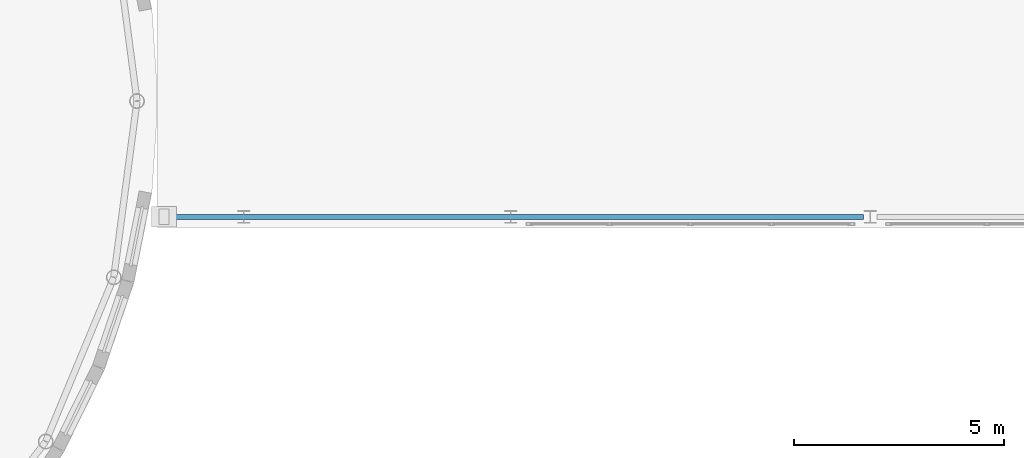
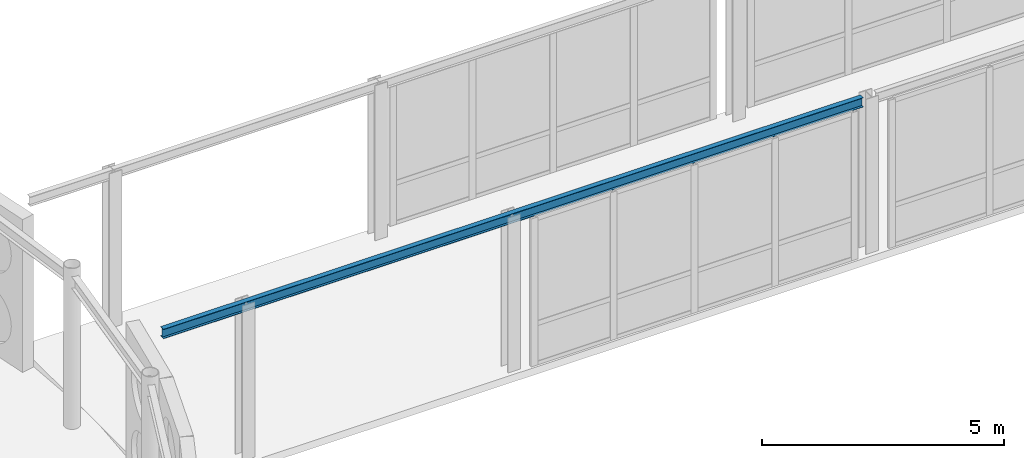
# One storey, part 54 of 165: 1 beam.
"""IFC4 building model written with IfcOpenShell, lengths in metres."""

from ifc_helpers import new_model, si_unit, direction, frame, origin, origin_2d, place, context, subcontext, project, spatial, i_section, extrude, material, material_profile, profile_set, type_object, element, save


model = new_model("IFC4")

# Units and contexts
model_context = context("Model", 3, precision=1e-05, world=origin(), true_north=direction((0.0, 1.0)))
body_context = subcontext(model_context, "Body", "Model", "MODEL_VIEW")
ifc_project = project(units=[si_unit("LENGTHUNIT", "METRE"), si_unit("AREAUNIT", "SQUARE_METRE"), si_unit("VOLUMEUNIT", "CUBIC_METRE"), si_unit("PLANEANGLEUNIT", "RADIAN"), si_unit("MASSUNIT", "GRAM", prefix="KILO")], contexts=[model_context])

# Site, building, storey
site_placement = place(None, origin())
site = spatial("IfcSite", under=ifc_project, at=site_placement, CompositionType="ELEMENT")
building_placement = place(site_placement, origin())
building = spatial("IfcBuilding", under=site, at=building_placement, Name="Montecoro Central Library", CompositionType="ELEMENT")
storey_placement = place(building_placement, frame((0.0, 0.0, 5.10009765625)))
storey = spatial("IfcBuildingStorey", under=building, at=storey_placement, Name="L01", CompositionType="ELEMENT", Elevation=5.10009765625)

# Beam
ifc_material = material(Name="Steel S355", Category="steel")
ifc_material_profile = material_profile(ifc_material, i_section(OverallWidth=0.1201171875, OverallDepth=0.239990234375, WebThickness=0.006103515625, FlangeThickness=0.009765625, at=origin_2d()), Name="IPE 240")
ifc_profile_set = profile_set([ifc_material_profile], Name="Steel S355")
beam_type = type_object("IfcBeamType", Name="BM-SP-IPE240", PredefinedType="SPANDREL", material=ifc_profile_set)
beam_placement = place(storey_placement, frame((108.340087890625, 32.64990234375, 3.787841796875), z_axis=(1.0, 0.0, 0.0), x_axis=(0.0, 1.0, 0.0)))
element("IfcBeam", 1, at=beam_placement, inside=storey, type_object=beam_type, Name="BR-SE-ROOF-BM-S1", PredefinedType="SPANDREL", context=body_context, shape_type="SweptSolid", body=[
    extrude(i_section(OverallWidth=0.1201171875, OverallDepth=0.239990234375, WebThickness=0.006103515625, FlangeThickness=0.009765625, at=origin_2d()), origin(), (0.0, 0.0, 1.0), 16.699951171875),
])

save(model, "model.ifc")
